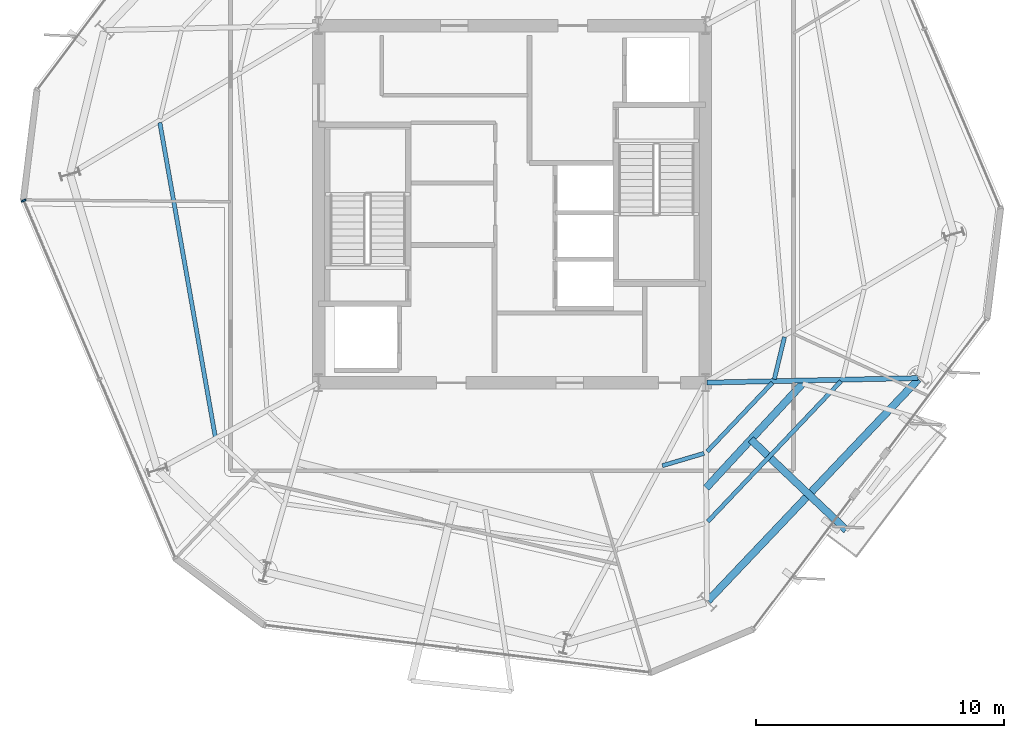
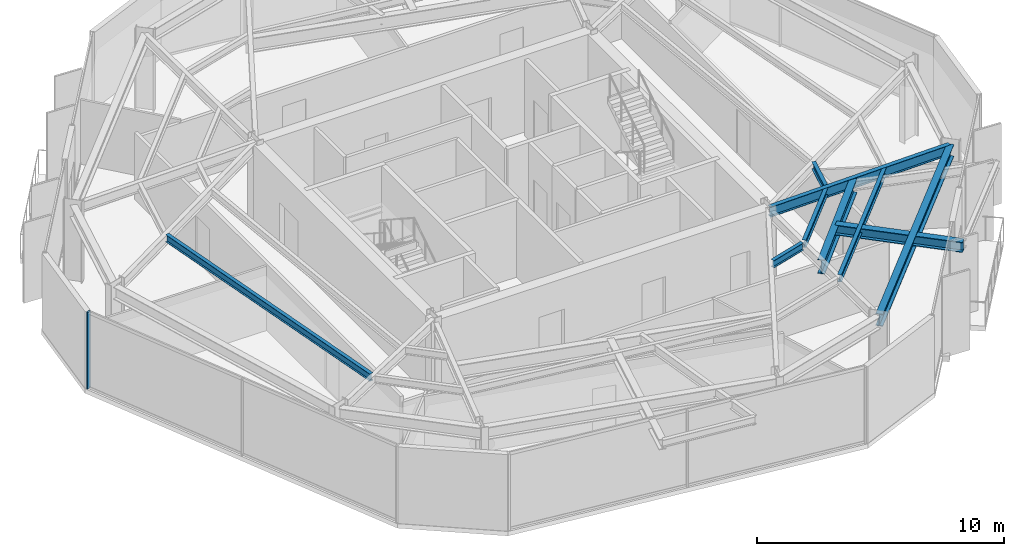
# One storey, part 3 of 12: 9 beams, 1 member, 1 element without a shape of its own.
"""IFC4 building model written with IfcOpenShell, lengths in metres."""

from ifc_helpers import new_model, si_unit, direction, frame, origin, origin_2d, place, context, subcontext, project, spatial, rectangle, i_section, extrude, material, layer, layer_set, material_profile, profile_set, type_object, element, aggregate, save


model = new_model("IFC4")

# Units and contexts
model_context = context("Model", 3, precision=1e-05, world=origin(), true_north=direction((0.0, 1.0)))
body_context = subcontext(model_context, "Body", "Model", "MODEL_VIEW")
ifc_project = project(units=[si_unit("LENGTHUNIT", "METRE"), si_unit("AREAUNIT", "SQUARE_METRE"), si_unit("VOLUMEUNIT", "CUBIC_METRE"), si_unit("PLANEANGLEUNIT", "RADIAN"), si_unit("MASSUNIT", "GRAM", prefix="KILO")], contexts=[model_context])

# Site, building, storey
site_placement = place(None, origin())
site = spatial("IfcSite", under=ifc_project, at=site_placement, CompositionType="ELEMENT")
building_placement = place(site_placement, origin())
building = spatial("IfcBuilding", under=site, at=building_placement, Name="Kranzbogen Civic Tower", CompositionType="ELEMENT")
storey_placement = place(building_placement, frame((0.0, 0.0, 236.800048828125)))
storey = spatial("IfcBuildingStorey", under=building, at=storey_placement, Name="L57", CompositionType="ELEMENT", Elevation=236.800048828125)

# Curtain wall, member
ifc_material_1 = material(Name="Pale Anodised Aluminium", Category="aluminium")
ifc_layer = layer(ifc_material_1, 0.219970703125, Name="Pale Anodised Aluminium")
ifc_layer_set = layer_set([ifc_layer], Name="Pale Anodised Aluminium")
curtain_wall_type = type_object("IfcCurtainWallType", Name="Zone 3 Stick Curtain Wall System CW-04", PredefinedType="USERDEFINED", material=ifc_layer_set)
curtain_wall_placement = place(storey_placement, origin())
curtain_wall = element("IfcCurtainWall", 1, at=curtain_wall_placement, inside=storey, type_object=curtain_wall_type, Name="L57 curtain wall CW-L57-F3", ObjectType="STICK CURTAIN WALL", PredefinedType="USERDEFINED")
ifc_material_profile_1 = material_profile(ifc_material_1, rectangle(XDim=0.070068359375, YDim=0.199951171875, at=origin_2d()), Name="ALU-M 70x200")
ifc_profile_set_1 = profile_set([ifc_material_profile_1], Name="Pale Anodised Aluminium")
member_type = type_object("IfcMemberType", Name="Curtain Wall Mullion ALU-M 70x200", PredefinedType="MULLION", material=ifc_profile_set_1)
member_placement = place(storey_placement, frame((5.3076171875, 25.141357421875, 0.0), z_axis=(0.0, 0.0, 1.0), x_axis=(0.390705161325, -0.920515875428, 0.0)))
member = element("IfcMember", 2, at=member_placement, type_object=member_type, Name="CW-04 mullion 1", PredefinedType="MULLION", context=body_context, shape_type="SweptSolid", body=[
    extrude(rectangle(XDim=0.070068359375, YDim=0.199951171875, at=origin_2d()), origin(), (0.0, 0.0, 1.0), 3.780029296875),
])
aggregate(curtain_wall, [member])

# Beams
ifc_material_2 = material(Name="Steel S355", Category="steel")
ifc_material_profile_2 = material_profile(ifc_material_2, i_section(OverallWidth=0.300048828125, OverallDepth=0.5, WebThickness=0.014404296875, FlangeThickness=0.028076171875, at=origin_2d()), Name="HEB 500")
ifc_profile_set_2 = profile_set([ifc_material_profile_2], Name="Steel S355")
beam_type_1 = type_object("IfcBeamType", Name="Perimeter Tube Spandrel Beam HEB 500", PredefinedType="SPANDREL", material=ifc_profile_set_2)
beam_1_placement = place(storey_placement, frame((34.635009765625, 15.506103515625, 3.469970703125), z_axis=(0.725424238955, -0.688302022034, 0.0), x_axis=(0.688302022034, 0.725424238955, 0.0)))
element("IfcBeam", 3, at=beam_1_placement, inside=storey, type_object=beam_type_1, Name="L58 back-spanned terrace beam L58-ST-1", PredefinedType="SPANDREL", context=body_context, shape_type="SweptSolid", body=[
    extrude(i_section(OverallWidth=0.300048828125, OverallDepth=0.5, WebThickness=0.014404296875, FlangeThickness=0.028076171875, at=origin_2d()), origin(), (0.0, 0.0, 1.0), 5.307373046875),
])
ifc_material_profile_3 = material_profile(ifc_material_2, i_section(OverallWidth=0.300048828125, OverallDepth=0.60009765625, WebThickness=0.015380859375, FlangeThickness=0.030029296875, at=origin_2d()), Name="HEB 600")
ifc_profile_set_3 = profile_set([ifc_material_profile_3], Name="Steel S355")
beam_type_2 = type_object("IfcBeamType", Name="Perimeter Tube Spandrel Beam HEB 600", PredefinedType="SPANDREL", material=ifc_profile_set_3)
beam_2_placement = place(storey_placement, frame((32.907958984375, 9.0, 3.47998046875), z_axis=(0.688373497874, 0.725356414065, 0.0), x_axis=(-0.725356414065, 0.688373497874, 0.0)))
element("IfcBeam", 4, at=beam_2_placement, inside=storey, type_object=beam_type_2, Name="L57 perimeter spandrel beam 04", PredefinedType="SPANDREL", context=body_context, shape_type="SweptSolid", body=[
    extrude(i_section(OverallWidth=0.300048828125, OverallDepth=0.60009765625, WebThickness=0.015380859375, FlangeThickness=0.030029296875, at=origin_2d()), origin(), (0.0, 0.0, 1.0), 12.324951171875),
])
ifc_material_profile_4 = material_profile(ifc_material_2, i_section(OverallWidth=0.300048828125, OverallDepth=0.699951171875, WebThickness=0.01708984375, FlangeThickness=0.031982421875, at=origin_2d()), Name="HEB 700")
ifc_profile_set_4 = profile_set([ifc_material_profile_4], Name="Steel S355")
beam_type_3 = type_object("IfcBeamType", Name="Perimeter Tube Spandrel Beam HEB 700", PredefinedType="SPANDREL", material=ifc_profile_set_4)
beam_3_placement = place(storey_placement, frame((32.83203125, 13.555908203125, 3.369873046875), z_axis=(0.678733988671, 0.734384213218, 0.0), x_axis=(-0.734384213218, 0.678733988671, 0.0)))
element("IfcBeam", 5, at=beam_3_placement, inside=storey, type_object=beam_type_3, Name="L58 balcony back-span header girder L58-ST", PredefinedType="SPANDREL", context=body_context, shape_type="SweptSolid", body=[
    extrude(i_section(OverallWidth=0.300048828125, OverallDepth=0.699951171875, WebThickness=0.01708984375, FlangeThickness=0.031982421875, at=origin_2d()), origin(), (0.0, 0.0, 1.0), 5.896240234375),
])
ifc_material_profile_5 = material_profile(ifc_material_2, i_section(OverallWidth=0.199951171875, OverallDepth=0.5, WebThickness=0.01025390625, FlangeThickness=0.01611328125, at=origin_2d()), Name="IPE 500")
ifc_profile_set_5 = profile_set([ifc_material_profile_5], Name="Steel S355")
beam_type_4 = type_object("IfcBeamType", Name="Radial Tower Floor Girder IPE 500", PredefinedType="BEAM", material=ifc_profile_set_5)
beam_4_placement = place(storey_placement, frame((41.373046875, 17.98291015625, 3.530029296875), z_axis=(-0.99977183191, -0.021360808018, 0.0), x_axis=(0.021360808018, -0.99977183191, 0.0)))
element("IfcBeam", 6, at=beam_4_placement, inside=storey, type_object=beam_type_4, Name="L57 radial floor girder 05", PredefinedType="BEAM", context=body_context, shape_type="SweptSolid", body=[
    extrude(i_section(OverallWidth=0.199951171875, OverallDepth=0.5, WebThickness=0.01025390625, FlangeThickness=0.01611328125, at=origin_2d()), origin(), (0.0, 0.0, 1.0), 8.514892578125),
])
ifc_material_profile_6 = material_profile(ifc_material_2, i_section(OverallWidth=0.169921875, OverallDepth=0.360107421875, WebThickness=0.008056640625, FlangeThickness=0.0126953125, at=origin_2d()), Name="IPE 360")
ifc_profile_set_6 = profile_set([ifc_material_profile_6], Name="Steel S355")
beam_type_5 = type_object("IfcBeamType", Name="Secondary Composite Floor Joist IPE 360", PredefinedType="JOIST", material=ifc_profile_set_6)
beam_5_placement = place(storey_placement, frame((31.06591796875, 14.449951171875, 3.599853515625), z_axis=(0.958871214757, 0.283841493638, 0.0), x_axis=(-0.283841493638, 0.958871214757, 0.0)))
element("IfcBeam", 7, at=beam_5_placement, inside=storey, type_object=beam_type_5, Name="L57 secondary floor joist 2.03", PredefinedType="JOIST", context=body_context, shape_type="SweptSolid", body=[
    extrude(i_section(OverallWidth=0.169921875, OverallDepth=0.360107421875, WebThickness=0.008056640625, FlangeThickness=0.0126953125, at=origin_2d()), origin(), (0.0, 0.0, 1.0), 1.751220703125),
])
beam_6_placement = place(storey_placement, frame((32.89794921875, 12.197998046875, 3.599853515625), z_axis=(0.688282381634, 0.725442873789, 0.0), x_axis=(-0.725442873789, 0.688282381634, 0.0)))
element("IfcBeam", 8, at=beam_6_placement, inside=storey, type_object=beam_type_5, Name="L57 secondary floor joist 1.04", PredefinedType="JOIST", context=body_context, shape_type="SweptSolid", body=[
    extrude(i_section(OverallWidth=0.169921875, OverallDepth=0.360107421875, WebThickness=0.008056640625, FlangeThickness=0.0126953125, at=origin_2d()), origin(), (0.0, 0.0, 1.0), 7.804931640625),
])
beam_7_placement = place(storey_placement, frame((32.876953125, 15.028076171875, 3.599853515625), z_axis=(0.688175084876, 0.725544659243, 0.0), x_axis=(-0.725544659243, 0.688175084876, 0.0)))
element("IfcBeam", 9, at=beam_7_placement, inside=storey, type_object=beam_type_5, Name="L57 secondary floor joist 2.04", PredefinedType="JOIST", context=body_context, shape_type="SweptSolid", body=[
    extrude(i_section(OverallWidth=0.169921875, OverallDepth=0.360107421875, WebThickness=0.008056640625, FlangeThickness=0.0126953125, at=origin_2d()), origin(), (0.0, 0.0, 1.0), 3.82177734375),
])
beam_8_placement = place(storey_placement, frame((35.5810546875, 17.93701171875, 3.599853515625), z_axis=(0.233631438607, 0.972325228972, 0.0), x_axis=(-0.972325228972, 0.233631438607, 0.0)))
element("IfcBeam", 10, at=beam_8_placement, inside=storey, type_object=beam_type_5, Name="L57 secondary floor joist 2.05", PredefinedType="JOIST", context=body_context, shape_type="SweptSolid", body=[
    extrude(i_section(OverallWidth=0.169921875, OverallDepth=0.360107421875, WebThickness=0.008056640625, FlangeThickness=0.0126953125, at=origin_2d()), origin(), (0.0, 0.0, 1.0), 1.750244140625),
])
beam_9_placement = place(storey_placement, frame((10.7958984375, 28.287109375, 3.599853515625), z_axis=(0.173805911364, -0.984779927281, 0.0), x_axis=(0.984779927281, 0.173805911364, 0.0)))
element("IfcBeam", 11, at=beam_9_placement, inside=storey, type_object=beam_type_5, Name="L57 secondary floor joist 1.12", PredefinedType="JOIST", context=body_context, shape_type="SweptSolid", body=[
    extrude(i_section(OverallWidth=0.169921875, OverallDepth=0.360107421875, WebThickness=0.008056640625, FlangeThickness=0.0126953125, at=origin_2d()), origin(), (0.0, 0.0, 1.0), 12.85986328125),
])

save(model, "model.ifc")
